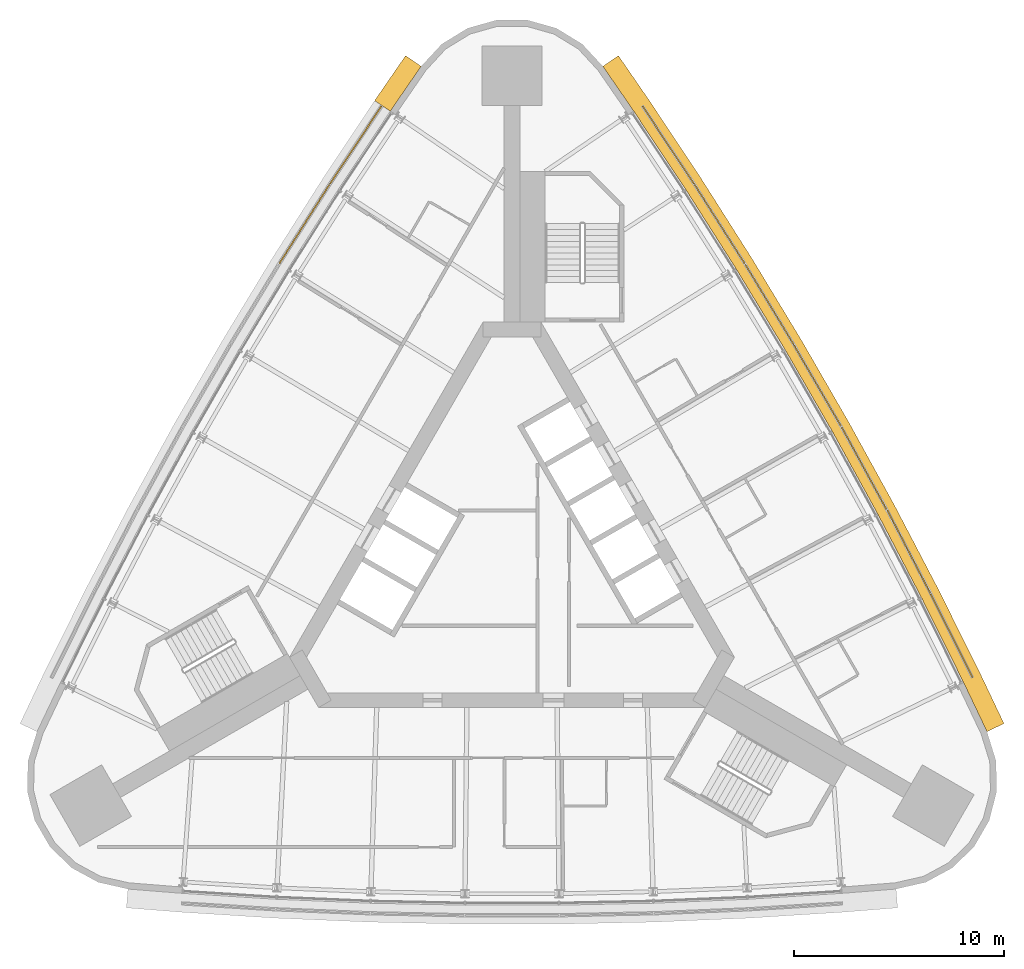
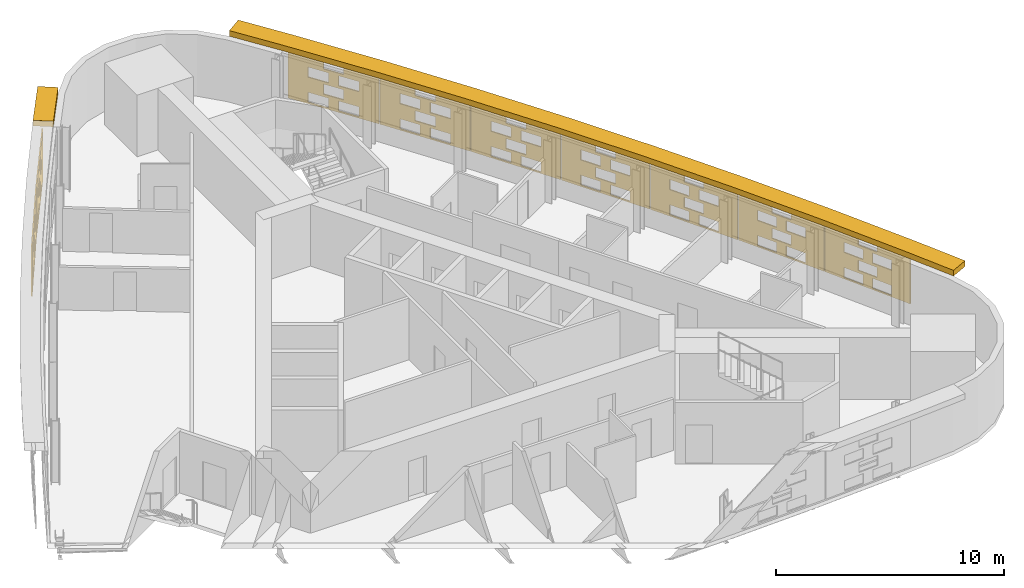
# One storey, part 12 of 12: 11 shading devices.
"""IFC4 building model written with IfcOpenShell, lengths in metres."""

from ifc_helpers import new_model, si_unit, direction, frame, origin, place, context, subcontext, project, spatial, polyline, outline, extrude, material, material_profile, profile_set, type_object, element, save


model = new_model("IFC4")

# Units and contexts
model_context = context("Model", 3, precision=1e-05, world=origin(), true_north=direction((0.0, 1.0)))
body_context = subcontext(model_context, "Body", "Model", "MODEL_VIEW")
ifc_project = project(units=[si_unit("LENGTHUNIT", "METRE"), si_unit("AREAUNIT", "SQUARE_METRE"), si_unit("VOLUMEUNIT", "CUBIC_METRE"), si_unit("PLANEANGLEUNIT", "RADIAN"), si_unit("MASSUNIT", "GRAM", prefix="KILO")], contexts=[model_context])

# Site, building, storey
site_placement = place(None, origin())
site = spatial("IfcSite", under=ifc_project, at=site_placement, CompositionType="ELEMENT")
building_placement = place(site_placement, origin())
building = spatial("IfcBuilding", under=site, at=building_placement, Name="Noor Cloister Tower", CompositionType="ELEMENT")
storey_placement = place(building_placement, frame((0.0, 0.0, 165.300048828125)))
storey = spatial("IfcBuildingStorey", under=building, at=storey_placement, Name="L42", CompositionType="ELEMENT", Elevation=165.300048828125)

# Shading devices
ifc_material_1 = material(Name="Limestone", Category="masonry")
ifc_material_profile = material_profile(ifc_material_1, outline(polyline([(-2.22998046875, -1.35009765625), (2.22998046875, -1.35009765625), (2.22998046875, 1.35009765625), (-2.22998046875, 1.35009765625), (-2.22998046875, -1.35009765625)]), holes=[polyline([(-1.25, -1.282470703125), (-0.25, -1.282470703125), (-0.25, -0.742431640625), (-1.25, -0.742431640625), (-1.25, -1.282470703125)]), polyline([(0.25, -1.282470703125), (1.25, -1.282470703125), (1.25, -0.742431640625), (0.25, -0.742431640625), (0.25, -1.282470703125)]), polyline([(-0.5, -0.607421875), (0.5, -0.607421875), (0.5, -0.0673828125), (-0.5, -0.0673828125), (-0.5, -0.607421875)]), polyline([(-1.25, 0.0673828125), (-0.25, 0.0673828125), (-0.25, 0.607421875), (-1.25, 0.607421875), (-1.25, 0.0673828125)]), polyline([(0.25, 0.0673828125), (1.25, 0.0673828125), (1.25, 0.607421875), (0.25, 0.607421875), (0.25, 0.0673828125)]), polyline([(-0.5, 0.742431640625), (0.5, 0.742431640625), (0.5, 1.282470703125), (-0.5, 1.282470703125), (-0.5, 0.742431640625)])]), Name="Woven screen 30 percent open")
ifc_profile_set = profile_set([ifc_material_profile], Name="Limestone")
shading_device_type_1 = type_object("IfcShadingDeviceType", Name="SCREEN woven limestone 30 percent open", PredefinedType="USERDEFINED", material=ifc_profile_set)
for number, where, z_axis, x_axis, name in (
    (1, (-7.429443359375, 19.8994140625, 1.849853515625), (-0.833298909309, 0.552822691054, 0.0), (-0.552822691054, -0.833298909309, 0.0), "SCREEN L42 1"),
    (2, (-9.88525390625, 16.11767578125, 1.849853515625), (-0.844329420183, 0.535824439731, 0.0), (-0.535824439731, -0.844329420183, 0.0), "SCREEN L42 2"),
    (3, (20.9482421875, -3.515625, 1.849853515625), (0.894427191, 0.4472135955, 0.0), (-0.4472135955, 0.894427191, 0.0), "SCREEN L42 1"),
    (4, (18.901123046875, 0.502197265625, 1.849853515625), (0.887816162103, 0.460198285861, 0.0), (-0.460198285861, 0.887816162103, 0.0), "SCREEN L42 2"),
    (5, (16.770263671875, 4.47607421875, 1.849853515625), (0.877584848731, 0.479421352547, 0.0), (-0.479421352547, 0.877584848731, 0.0), "SCREEN L42 3"),
):
    element("IfcShadingDevice", number, at=place(storey_placement, frame(where, z_axis=z_axis, x_axis=x_axis)), inside=storey, type_object=shading_device_type_1, Name=name, ObjectType="SCREEN", PredefinedType="USERDEFINED", context=body_context, shape_type="SweptSolid", body=[
        extrude(outline(polyline([(-2.22998046875, -1.35009765625), (2.22998046875, -1.35009765625), (2.22998046875, 1.35009765625), (-2.22998046875, 1.35009765625), (-2.22998046875, -1.35009765625)]), holes=[polyline([(-1.25, -1.282470703125), (-0.25, -1.282470703125), (-0.25, -0.742431640625), (-1.25, -0.742431640625), (-1.25, -1.282470703125)]), polyline([(0.25, -1.282470703125), (1.25, -1.282470703125), (1.25, -0.742431640625), (0.25, -0.742431640625), (0.25, -1.282470703125)]), polyline([(-0.5, -0.607421875), (0.5, -0.607421875), (0.5, -0.0673828125), (-0.5, -0.0673828125), (-0.5, -0.607421875)]), polyline([(-1.25, 0.0673828125), (-0.25, 0.0673828125), (-0.25, 0.607421875), (-1.25, 0.607421875), (-1.25, 0.0673828125)]), polyline([(0.25, 0.0673828125), (1.25, 0.0673828125), (1.25, 0.607421875), (0.25, 0.607421875), (0.25, 0.0673828125)]), polyline([(-0.5, 0.742431640625), (0.5, 0.742431640625), (0.5, 1.282470703125), (-0.5, 1.282470703125), (-0.5, 0.742431640625)])]), origin(), (0.0, 0.0, 1.0), 0.06005859375),
    ])
for number, where, z_axis, x_axis, name in (
    (6, (14.556884765625, 8.404296875, 1.849853515625), (0.86496035152, 0.501840203948, 0.0), (-0.501840203948, 0.86496035152, 0.0), "SCREEN L42 4"),
    (7, (12.261474609375, 12.28564453125, 1.849853515625), (0.855690023312, 0.517488728384, 0.0), (-0.517488728384, 0.855690023312, 0.0), "SCREEN L42 5"),
):
    element("IfcShadingDevice", number, at=place(storey_placement, frame(where, z_axis=z_axis, x_axis=x_axis)), inside=storey, type_object=shading_device_type_1, Name=name, ObjectType="SCREEN", PredefinedType="USERDEFINED", context=body_context, shape_type="SweptSolid", body=[
        extrude(outline(polyline([(-2.22998046875, -1.35009765625), (2.22998046875, -1.35009765625), (2.22998046875, 1.35009765625), (-2.22998046875, 1.35009765625), (-2.22998046875, -1.35009765625)]), holes=[polyline([(-1.25, -1.282470703125), (-0.25, -1.282470703125), (-0.25, -0.742431640625), (-1.25, -0.742431640625), (-1.25, -1.282470703125)]), polyline([(0.25, -1.282470703125), (1.25, -1.282470703125), (1.25, -0.742431640625), (0.25, -0.742431640625), (0.25, -1.282470703125)]), polyline([(-0.5, -0.607421875), (0.5, -0.607421875), (0.5, -0.0673828125), (-0.5, -0.0673828125), (-0.5, -0.607421875)]), polyline([(-1.25, 0.0673828125), (-0.25, 0.0673828125), (-0.25, 0.607421875), (-1.25, 0.607421875), (-1.25, 0.0673828125)]), polyline([(0.25, 0.0673828125), (1.25, 0.0673828125), (1.25, 0.607421875), (0.25, 0.607421875), (0.25, 0.0673828125)]), polyline([(-0.5, 0.742431640625), (0.5, 0.742431640625), (0.5, 1.282470703125), (-0.5, 1.282470703125), (-0.5, 0.742431640625)])]), origin(), (0.0, 0.0, 1.0), 0.059814453125),
    ])
for number, where, z_axis, x_axis, name in (
    (8, (9.88525390625, 16.11767578125, 1.849853515625), (0.844329420183, 0.535824439731, 0.0), (-0.535824439731, 0.844329420183, 0.0), "SCREEN L42 6"),
    (9, (7.429443359375, 19.8994140625, 1.849853515625), (0.833298909309, 0.552822691054, 0.0), (-0.552822691054, 0.833298909309, 0.0), "SCREEN L42 7"),
):
    element("IfcShadingDevice", number, at=place(storey_placement, frame(where, z_axis=z_axis, x_axis=x_axis)), inside=storey, type_object=shading_device_type_1, Name=name, ObjectType="SCREEN", PredefinedType="USERDEFINED", context=body_context, shape_type="SweptSolid", body=[
        extrude(outline(polyline([(-2.22998046875, -1.35009765625), (2.22998046875, -1.35009765625), (2.22998046875, 1.35009765625), (-2.22998046875, 1.35009765625), (-2.22998046875, -1.35009765625)]), holes=[polyline([(-1.25, -1.282470703125), (-0.25, -1.282470703125), (-0.25, -0.742431640625), (-1.25, -0.742431640625), (-1.25, -1.282470703125)]), polyline([(0.25, -1.282470703125), (1.25, -1.282470703125), (1.25, -0.742431640625), (0.25, -0.742431640625), (0.25, -1.282470703125)]), polyline([(-0.5, -0.607421875), (0.5, -0.607421875), (0.5, -0.0673828125), (-0.5, -0.0673828125), (-0.5, -0.607421875)]), polyline([(-1.25, 0.0673828125), (-0.25, 0.0673828125), (-0.25, 0.607421875), (-1.25, 0.607421875), (-1.25, 0.0673828125)]), polyline([(0.25, 0.0673828125), (1.25, 0.0673828125), (1.25, 0.607421875), (0.25, 0.607421875), (0.25, 0.0673828125)]), polyline([(-0.5, 0.742431640625), (0.5, 0.742431640625), (0.5, 1.282470703125), (-0.5, 1.282470703125), (-0.5, 0.742431640625)])]), origin(), (0.0, 0.0, 1.0), 0.06005859375),
    ])
ifc_material_2 = material(Name="Limestone", Category="masonry")
shading_device_type_2 = type_object("IfcShadingDeviceType", Name="SUNSHADE limestone band 900", PredefinedType="USERDEFINED", material=ifc_material_2)
shading_device_1_placement = place(storey_placement, frame((0.0, 0.0, 3.300048828125)))
element("IfcShadingDevice", 10, at=shading_device_1_placement, inside=storey, type_object=shading_device_type_2, Name="SUNSHADE L42 3", ObjectType="SUNSHADE", PredefinedType="USERDEFINED", context=body_context, shape_type="SweptSolid", body=[
    extrude(outline(polyline([(23.47509765625, -7.69091796875), (22.35498046875, -5.33740234375), (20.3466796875, -1.291748046875), (18.253173828125, 2.712890625), (16.076171875, 6.672607421875), (13.81689453125, 10.5859375), (11.47607421875, 14.451171875), (9.0546875, 18.2666015625), (6.55517578125, 22.028564453125), (5.076904296875, 24.175537109375), (4.335693359375, 23.665283203125), (5.8095703125, 21.5244140625), (8.2998046875, 17.7763671875), (10.7109375, 13.97705078125), (13.0419921875, 10.1279296875), (15.2919921875, 6.23095703125), (17.4599609375, 2.28759765625), (19.544677734375, -1.7001953125), (21.54541015625, -5.73095703125), (22.66259765625, -8.077880859375), (23.47509765625, -7.69091796875)])), origin(), (0.0, 0.0, 1.0), 0.2998046875),
])
shading_device_2_placement = place(storey_placement, frame((0.0, 0.0, 3.300048828125)))
element("IfcShadingDevice", 11, at=shading_device_2_placement, inside=storey, type_object=shading_device_type_2, Name="SUNSHADE L42 4", ObjectType="SUNSHADE", PredefinedType="USERDEFINED", context=body_context, shape_type="SweptSolid", body=[
    extrude(outline(polyline([(-5.076904296875, 24.175537109375), (-6.55078125, 22.03466796875), (-5.8095703125, 21.5244140625), (-4.335693359375, 23.665283203125), (-5.076904296875, 24.175537109375)])), origin(), (0.0, 0.0, 1.0), 0.2998046875),
])

save(model, "model.ifc")
